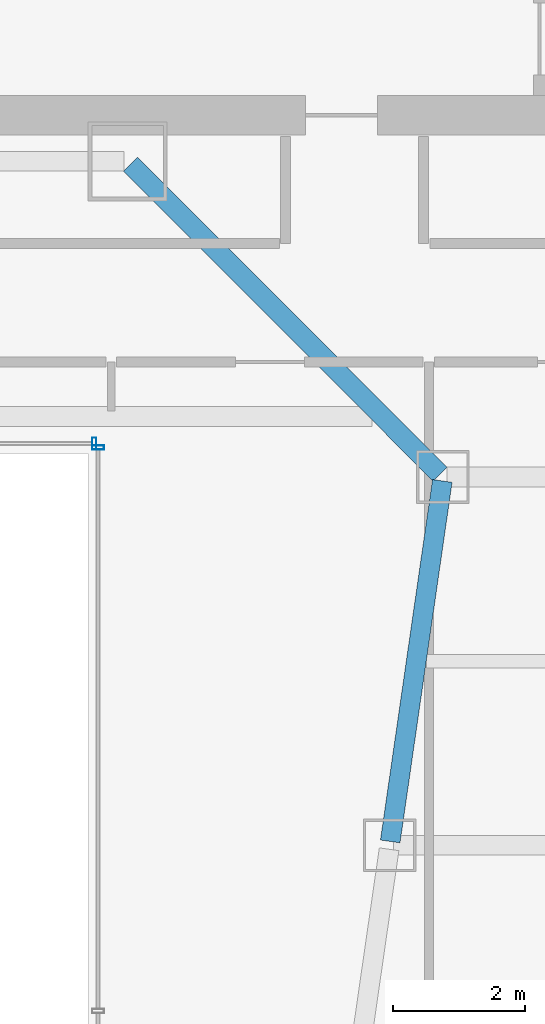
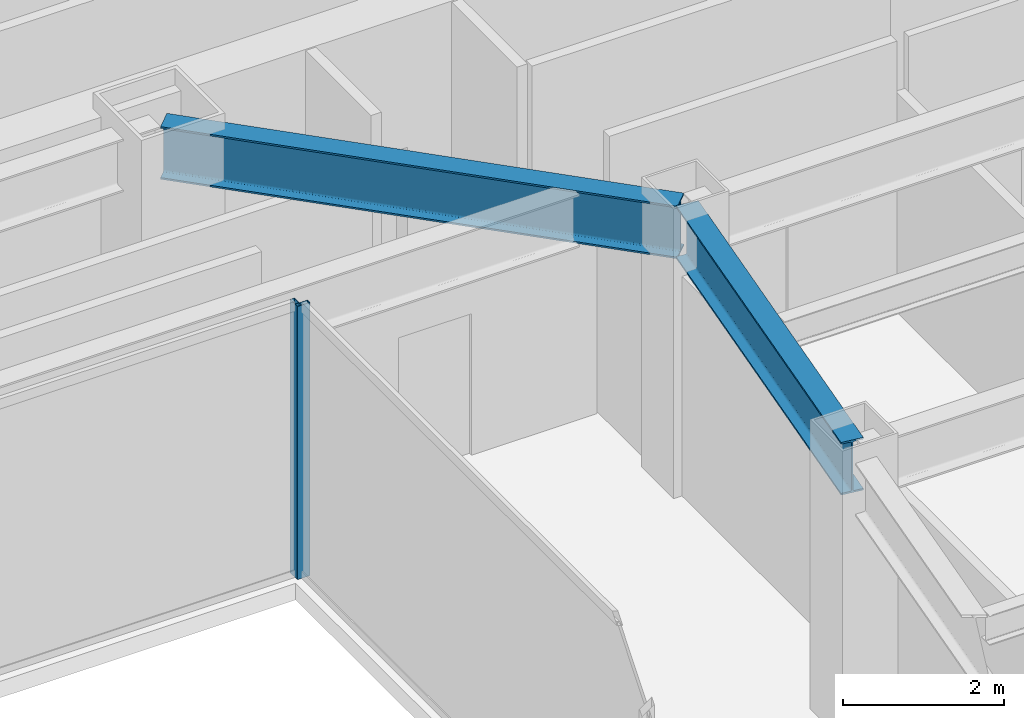
# One storey, part 29 of 47: 2 beams, 2 members, 2 elements without a shape of their own.
"""IFC4 building model written with IfcOpenShell, lengths in metres."""

from ifc_helpers import new_model, si_unit, direction, frame, origin, origin_2d, place, context, subcontext, project, spatial, hollow_rectangle, i_section, extrude, material, material_profile, profile_set, type_object, element, aggregate, save


model = new_model("IFC4")

# Units and contexts
model_context = context("Model", 3, precision=1e-05, world=origin(), true_north=direction((0.0, 1.0)))
body_context = subcontext(model_context, "Body", "Model", "MODEL_VIEW")
ifc_project = project(units=[si_unit("LENGTHUNIT", "METRE"), si_unit("AREAUNIT", "SQUARE_METRE"), si_unit("VOLUMEUNIT", "CUBIC_METRE"), si_unit("PLANEANGLEUNIT", "RADIAN"), si_unit("MASSUNIT", "GRAM", prefix="KILO")], contexts=[model_context])

# Site, building, storey
site_placement = place(None, origin())
site = spatial("IfcSite", under=ifc_project, at=site_placement, CompositionType="ELEMENT")
building_placement = place(site_placement, origin())
building = spatial("IfcBuilding", under=site, at=building_placement, Name="Saevonmaru Cultural Tower", CompositionType="ELEMENT")
storey_placement = place(building_placement, frame((0.0, 0.0, 56.0)))
storey = spatial("IfcBuildingStorey", under=building, at=storey_placement, Name="L11", CompositionType="ELEMENT", Elevation=56.0)

# Beams
ifc_material_1 = material(Name="Steel SM420", Category="steel")
ifc_material_profile_1 = material_profile(ifc_material_1, i_section(OverallWidth=0.300048828125, OverallDepth=0.800048828125, WebThickness=0.013916015625, FlangeThickness=0.02587890625, FilletRadius=0.028076171875, at=origin_2d()), Name="H-800x300x14x26")
ifc_profile_set_1 = profile_set([ifc_material_profile_1], Name="Steel SM420")
beam_type = type_object("IfcBeamType", Name="BM-G-H800", PredefinedType="BEAM", material=ifc_profile_set_1)
beam_1_placement = place(storey_placement, frame((40.3916015625, 32.059326171875, 3.75), z_axis=(0.142964121327, 0.989727871697, 0.0), x_axis=(-0.989727871697, 0.142964121327, 0.0)))
element("IfcBeam", 1, at=beam_1_placement, inside=storey, type_object=beam_type, Name="L11 East Atrium Girder 5", PredefinedType="BEAM", context=body_context, shape_type="SweptSolid", body=[
    extrude(i_section(OverallWidth=0.300048828125, OverallDepth=0.800048828125, WebThickness=0.013916015625, FlangeThickness=0.02587890625, FilletRadius=0.028076171875, at=origin_2d()), origin(), (0.0, 0.0, 1.0), 5.5380859375),
])
beam_2_placement = place(storey_placement, frame((41.149658203125, 37.642578125, 3.75), z_axis=(-0.706538566564, 0.707674539572, 0.0), x_axis=(-0.707674539572, -0.706538566564, 0.0)))
element("IfcBeam", 2, at=beam_2_placement, inside=storey, type_object=beam_type, Name="L11 East Atrium Girder 6", PredefinedType="BEAM", context=body_context, shape_type="SweptSolid", body=[
    extrude(i_section(OverallWidth=0.300048828125, OverallDepth=0.800048828125, WebThickness=0.013916015625, FlangeThickness=0.02587890625, FilletRadius=0.028076171875, at=origin_2d()), origin(), (0.0, 0.0, 1.0), 6.662353515625),
])

# Curtain wall, member
ifc_material_2 = material(Name="Satin Bronze Anodised Aluminium", Category="aluminium")
curtain_wall_type = type_object("IfcCurtainWallType", Name="CW-ATR-GLZ", PredefinedType="NOTDEFINED", material=ifc_material_2)
curtain_wall_1_placement = place(storey_placement, origin())
curtain_wall_1 = element("IfcCurtainWall", 3, at=curtain_wall_1_placement, inside=storey, type_object=curtain_wall_type, Name="L11 Vertical Atrium Glazed Smoke Screen 2", PredefinedType="NOTDEFINED")
ifc_material_profile_2 = material_profile(ifc_material_2, hollow_rectangle(XDim=0.06494140625, YDim=0.179931640625, WallThickness=0.00390625, at=origin_2d()), Name="ALU-MULL-180x65x4")
ifc_profile_set_2 = profile_set([ifc_material_profile_2], Name="Satin Bronze Anodised Aluminium")
member_type = type_object("IfcMemberType", Name="ML-CW-INT-180x65", PredefinedType="MULLION", material=ifc_profile_set_2)
member_1_placement = place(storey_placement, frame((35.949951171875, 38.050048828125, 0.0), z_axis=(0.0, 0.0, 1.0), x_axis=(0.0, 1.0, 0.0)))
member_1 = element("IfcMember", 4, at=member_1_placement, type_object=member_type, Name="CW-ATR-L11-2 mullion 3", PredefinedType="MULLION", context=body_context, shape_type="SweptSolid", body=[
    extrude(hollow_rectangle(XDim=0.06494140625, YDim=0.179931640625, WallThickness=0.00390625, at=origin_2d()), origin(), (0.0, 0.0, 1.0), 4.14990234375),
])
aggregate(curtain_wall_1, [member_1])

curtain_wall_2_placement = place(storey_placement, origin())
curtain_wall_2 = element("IfcCurtainWall", 5, at=curtain_wall_2_placement, inside=storey, type_object=curtain_wall_type, Name="L11 Vertical Atrium Glazed Smoke Screen 3", PredefinedType="NOTDEFINED")
member_2_placement = place(storey_placement, frame((35.889892578125, 38.110107421875, 0.0), z_axis=(0.0, 0.0, 1.0), x_axis=(-1.0, 0.0, 0.0)))
member_2 = element("IfcMember", 6, at=member_2_placement, type_object=member_type, Name="CW-ATR-L11-3 mullion 1", PredefinedType="MULLION", context=body_context, shape_type="SweptSolid", body=[
    extrude(hollow_rectangle(XDim=0.06494140625, YDim=0.179931640625, WallThickness=0.00390625, at=origin_2d()), origin(), (0.0, 0.0, 1.0), 4.14990234375),
])
aggregate(curtain_wall_2, [member_2])

save(model, "model.ifc")
